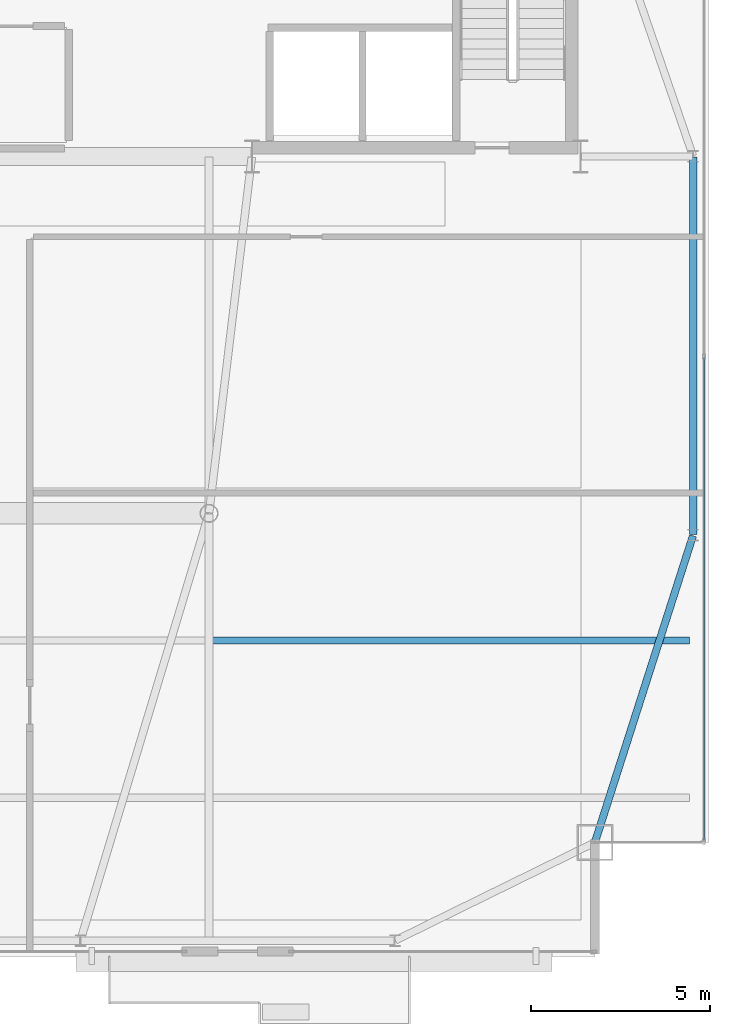
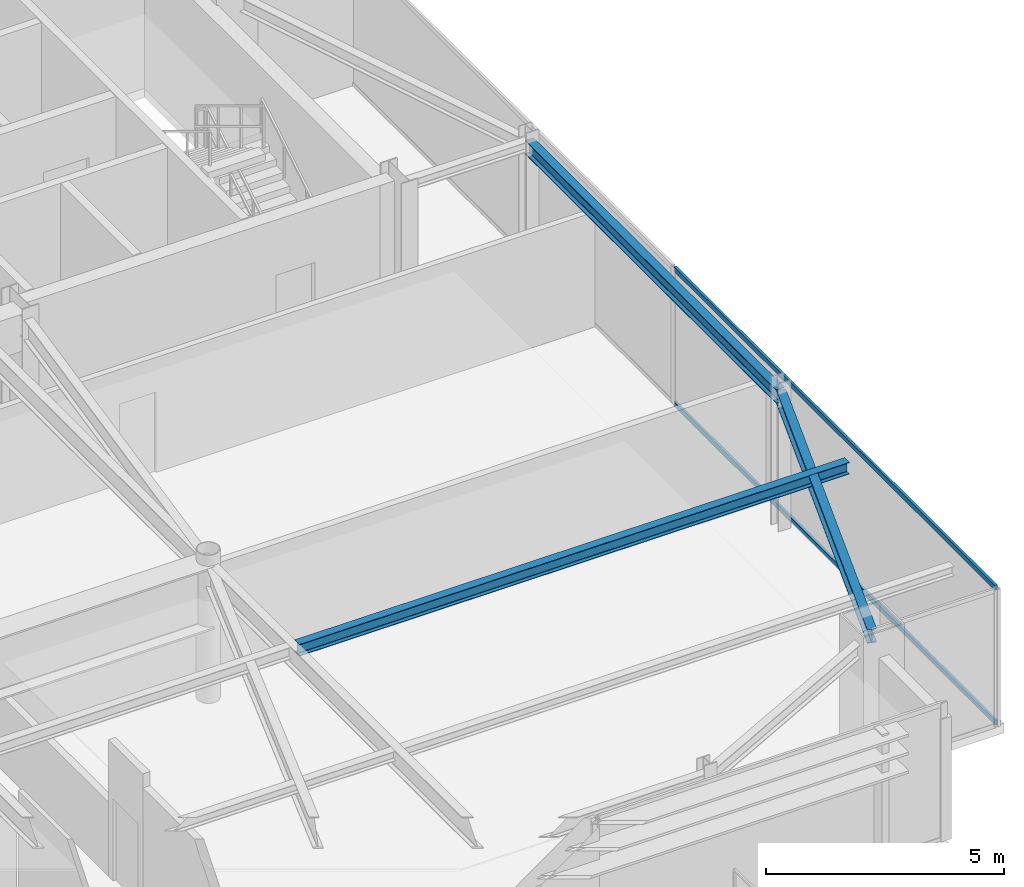
# One storey, part 13 of 21: 3 beams, 2 members, 1 element without a shape of its own.
"""IFC4 building model written with IfcOpenShell, lengths in metres."""

from ifc_helpers import new_model, si_unit, direction, frame, origin, origin_2d, place, context, subcontext, project, spatial, hollow_rectangle, i_section, extrude, source, transform, mapped, material, layer, layer_set, material_profile, profile_set, type_object, type_shapes, element, aggregate, save


model = new_model("IFC4")

# Units and contexts
model_context = context("Model", 3, precision=1e-05, world=origin(), true_north=direction((0.0, 1.0)))
body_context = subcontext(model_context, "Body", "Model", "MODEL_VIEW")
ifc_project = project(units=[si_unit("LENGTHUNIT", "METRE"), si_unit("AREAUNIT", "SQUARE_METRE"), si_unit("VOLUMEUNIT", "CUBIC_METRE"), si_unit("PLANEANGLEUNIT", "RADIAN"), si_unit("MASSUNIT", "GRAM", prefix="KILO")], contexts=[model_context])

# Site, building, storey
site_placement = place(None, origin())
site = spatial("IfcSite", under=ifc_project, at=site_placement, CompositionType="ELEMENT")
building_placement = place(site_placement, origin())
building = spatial("IfcBuilding", under=site, at=building_placement, Name="Varnel Quay Broadcast Tower", CompositionType="ELEMENT")
storey_placement = place(building_placement, frame((0.0, 0.0, 296.39990234375)))
storey = spatial("IfcBuildingStorey", under=building, at=storey_placement, Name="L74", CompositionType="ELEMENT", Elevation=296.39990234375)

# Beams
ifc_material_1 = material(Name="Structural Steel CSA G40.21 350W", Category="steel")
ifc_material_profile_1 = material_profile(ifc_material_1, i_section(OverallWidth=0.205078125, OverallDepth=0.35400390625, WebThickness=0.009521484375, FlangeThickness=0.016845703125, FilletRadius=0.012939453125, at=origin_2d()), Name="W360X79")
ifc_profile_set_1 = profile_set([ifc_material_profile_1], Name="Structural Steel CSA G40.21 350W")
beam_type_1 = type_object("IfcBeamType", Name="Beam_W360X79", PredefinedType="SPANDREL", material=ifc_profile_set_1)
shared_shape_1 = source(origin(), body_context, "Body", "SweptSolid", [
    extrude(i_section(OverallWidth=0.205078125, OverallDepth=0.35400390625, WebThickness=0.009521484375, FlangeThickness=0.016845703125, FilletRadius=0.012939453125, at=origin_2d()), origin(), (0.0, 0.0, 1.0), 8.989013671875),
])
beam_1_placement = place(storey_placement, frame((52.80615234375, 16.4189453125, 3.343017578125), z_axis=(0.304568770162, 0.952490348635, 0.0), x_axis=(-0.952490348635, 0.304568770162, 0.0)))
element("IfcBeam", 1, at=beam_1_placement, inside=storey, type_object=beam_type_1, Name="L74 East Spandrel MC-SE-TC-E1", PredefinedType="SPANDREL", context=body_context, shape_type="MappedRepresentation", body=[
    mapped(shared_shape_1, transform((0.0, 0.0, 0.0), x_axis=(1.0, 0.0, 0.0), y_axis=(0.0, 1.0, 0.0), z_axis=(0.0, 0.0, 1.0), scale=1.0)),
])
shared_shape_2 = source(origin(), body_context, "Body", "SweptSolid", [
    extrude(i_section(OverallWidth=0.205078125, OverallDepth=0.35400390625, WebThickness=0.009521484375, FlangeThickness=0.016845703125, FilletRadius=0.012939453125, at=origin_2d()), origin(), (0.0, 0.0, 1.0), 10.56005859375),
])
type_shapes(beam_type_1, [shared_shape_1, shared_shape_2])
beam_2_placement = place(storey_placement, frame((55.550048828125, 25.02001953125, 3.343017578125), z_axis=(0.0, 1.0, 0.0), x_axis=(-1.0, 0.0, 0.0)))
element("IfcBeam", 2, at=beam_2_placement, inside=storey, type_object=beam_type_1, Name="L74 East Spandrel TC-E1-TC-E2", PredefinedType="SPANDREL", context=body_context, shape_type="MappedRepresentation", body=[
    mapped(shared_shape_2, transform((0.0, 0.0, 0.0), x_axis=(1.0, 0.0, 0.0), y_axis=(0.0, 1.0, 0.0), z_axis=(0.0, 0.0, 1.0), scale=1.0)),
])
ifc_material_profile_2 = material_profile(ifc_material_1, i_section(OverallWidth=0.202880859375, OverallDepth=0.302978515625, WebThickness=0.007568359375, FlangeThickness=0.01318359375, FilletRadius=0.011962890625, at=origin_2d()), Name="W310X60")
ifc_profile_set_2 = profile_set([ifc_material_profile_2], Name="Structural Steel CSA G40.21 350W")
beam_type_2 = type_object("IfcBeamType", Name="Beam_W310X60", PredefinedType="JOIST", material=ifc_profile_set_2)
shared_shape_3 = source(origin(), body_context, "Body", "SweptSolid", [
    extrude(i_section(OverallWidth=0.202880859375, OverallDepth=0.302978515625, WebThickness=0.007568359375, FlangeThickness=0.01318359375, FilletRadius=0.011962890625, at=origin_2d()), origin(), (0.0, 0.0, 1.0), 13.351318359375),
])
type_shapes(beam_type_2, [shared_shape_3])
beam_3_placement = place(storey_placement, frame((42.10107421875, 22.050048828125, 3.36865234375), z_axis=(1.0, 0.0, 0.0), x_axis=(0.0, 1.0, 0.0)))
element("IfcBeam", 3, at=beam_3_placement, inside=storey, type_object=beam_type_2, Name="L74 East Floor Joist 2", PredefinedType="JOIST", context=body_context, shape_type="MappedRepresentation", body=[
    mapped(shared_shape_3, transform((0.0, 0.0, 0.0), x_axis=(1.0, 0.0, 0.0), y_axis=(0.0, 1.0, 0.0), z_axis=(0.0, 0.0, 1.0), scale=1.0)),
])

# Curtain wall, members
ifc_material_2 = material(Name="Anodised Bronze Aluminium 6063-T6", Category="aluminium")
ifc_layer = layer(ifc_material_2, 0.18994140625, Name="Anodised Bronze Aluminium 6063-T6")
ifc_layer_set = layer_set([ifc_layer], Name="Anodised Bronze Aluminium 6063-T6")
curtain_wall_type = type_object("IfcCurtainWallType", Name="CW_UpperTower", PredefinedType="NOTDEFINED", material=ifc_layer_set)
curtain_wall_placement = place(storey_placement, origin())
curtain_wall = element("IfcCurtainWall", 4, at=curtain_wall_placement, inside=storey, type_object=curtain_wall_type, Name="L74 East Unitised Curtain Wall", PredefinedType="NOTDEFINED")
ifc_material_profile_3 = material_profile(ifc_material_2, hollow_rectangle(XDim=0.06005859375, YDim=0.125, WallThickness=0.0029296875, at=origin_2d()), Name="ALU60X125X3")
ifc_profile_set_3 = profile_set([ifc_material_profile_3], Name="Anodised Bronze Aluminium 6063-T6")
member_type = type_object("IfcMemberType", Name="Tran_CWS-03", PredefinedType="USERDEFINED", material=ifc_profile_set_3)
shared_shape_4 = source(origin(), body_context, "Body", "SweptSolid", [
    extrude(hollow_rectangle(XDim=0.06005859375, YDim=0.125, WallThickness=0.0029296875, at=origin_2d()), origin(), (0.0, 0.0, 1.0), 13.50244140625),
])
type_shapes(member_type, [shared_shape_4])
member_1_placement = place(storey_placement, frame((55.85009765625, 16.465087890625, 0.030029296875), z_axis=(0.0, 1.0, 0.0), x_axis=(-1.0, 0.0, 0.0)))
member_1 = element("IfcMember", 5, at=member_1_placement, type_object=member_type, Name="CWS-03 transom 1.1", ObjectType="TRANSOM", PredefinedType="USERDEFINED", context=body_context, shape_type="MappedRepresentation", body=[
    mapped(shared_shape_4, transform((0.0, 0.0, 0.0), x_axis=(1.0, 0.0, 0.0), y_axis=(0.0, 1.0, 0.0), z_axis=(0.0, 0.0, 1.0), scale=1.0)),
])
member_2_placement = place(storey_placement, frame((55.85009765625, 16.465087890625, 3.489990234375), z_axis=(0.0, 1.0, 0.0), x_axis=(-1.0, 0.0, 0.0)))
member_2 = element("IfcMember", 6, at=member_2_placement, type_object=member_type, Name="CWS-03 transom 1.2", ObjectType="TRANSOM", PredefinedType="USERDEFINED", context=body_context, shape_type="MappedRepresentation", body=[
    mapped(shared_shape_4, transform((0.0, 0.0, 0.0), x_axis=(1.0, 0.0, 0.0), y_axis=(0.0, 1.0, 0.0), z_axis=(0.0, 0.0, 1.0), scale=1.0)),
])
aggregate(curtain_wall, [member_1, member_2])

save(model, "model.ifc")
